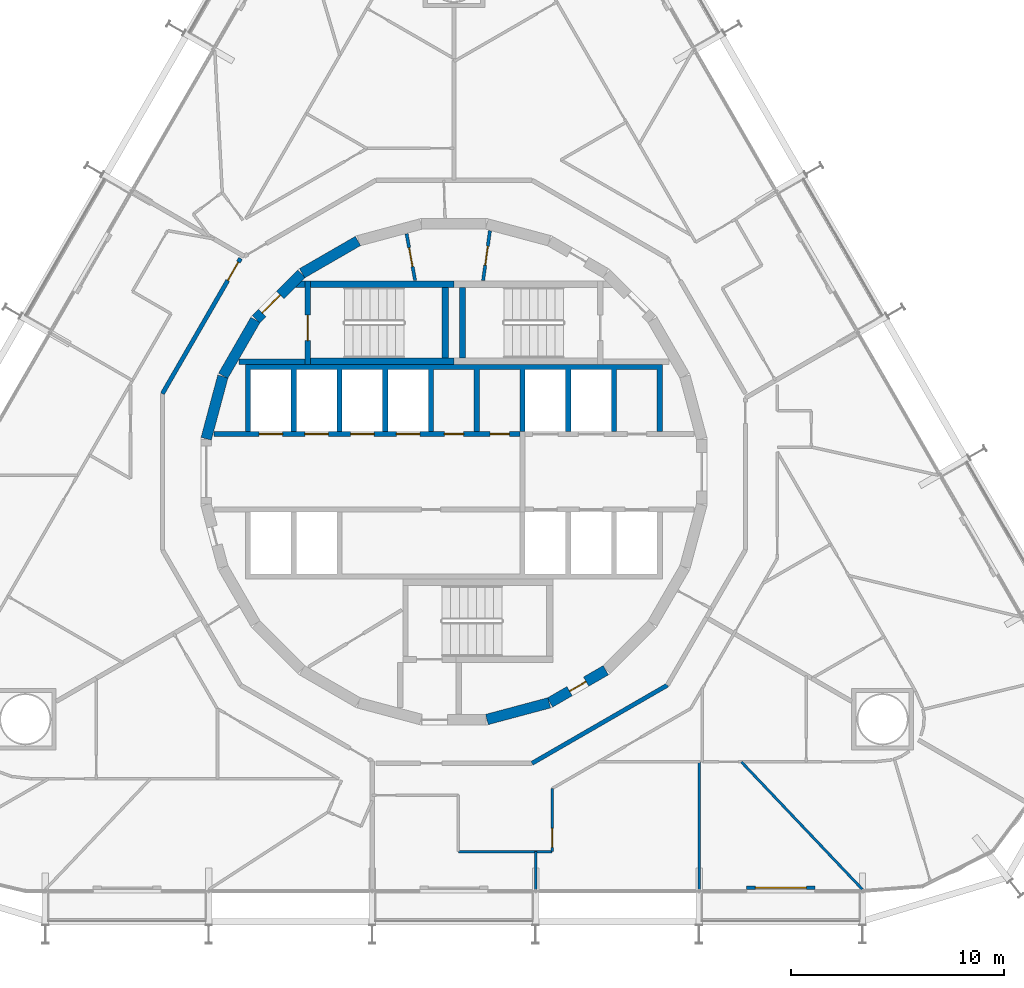
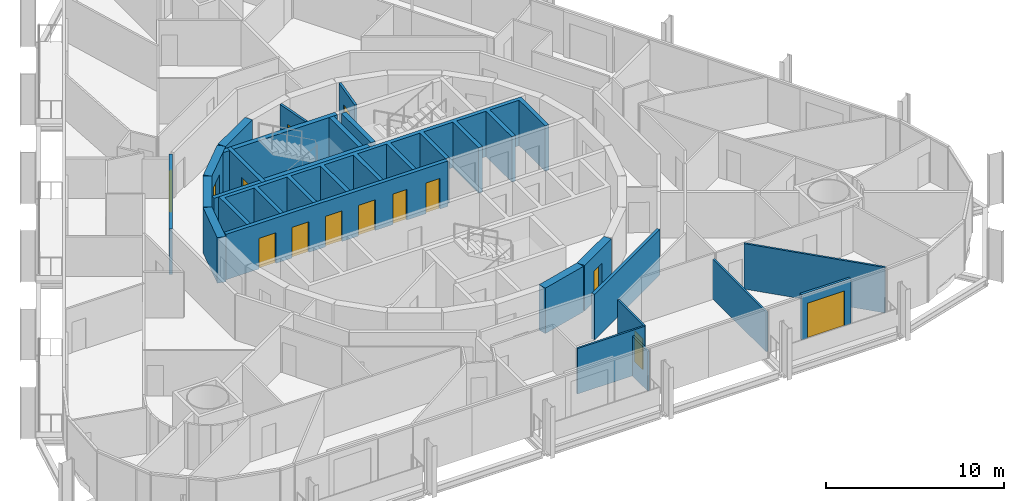
# One storey, part 15 of 21: 25 walls, 14 doors, 14 openings.
"""IFC4 building model written with IfcOpenShell, lengths in metres."""

from ifc_helpers import new_model, si_unit, direction, frame, frame_2d, origin, place, context, subcontext, project, spatial, polyline, rectangle, outline, extrude, material, layer, layer_set, type_object, element, fill, save


model = new_model("IFC4")

# Units and contexts
model_context = context("Model", 3, precision=1e-05, world=origin(), true_north=direction((0.0, 1.0)))
body_context = subcontext(model_context, "Body", "Model", "MODEL_VIEW")
ifc_project = project(units=[si_unit("LENGTHUNIT", "METRE"), si_unit("AREAUNIT", "SQUARE_METRE"), si_unit("VOLUMEUNIT", "CUBIC_METRE"), si_unit("PLANEANGLEUNIT", "RADIAN"), si_unit("MASSUNIT", "GRAM", prefix="KILO")], contexts=[model_context])

# Site, building, storey
site_placement = place(None, origin())
site = spatial("IfcSite", under=ifc_project, at=site_placement, CompositionType="ELEMENT")
building_placement = place(site_placement, origin())
building = spatial("IfcBuilding", under=site, at=building_placement, Name="Spindle Arch Residences", CompositionType="ELEMENT")
storey_placement = place(building_placement, frame((0.0, 0.0, 48.89990234375)))
storey = spatial("IfcBuildingStorey", under=building, at=storey_placement, Name="L10", CompositionType="ELEMENT", Elevation=48.89990234375)

# Wall
ifc_material_1 = material(Name="Concrete C50/60", Category="concrete")
ifc_layer_1 = layer(ifc_material_1, 0.5)
ifc_layer_set_1 = layer_set([ifc_layer_1], Name="Core outline wall 500")
wall_type_1 = type_object("IfcWallType", Name="Core outline wall 500", PredefinedType="SHEAR", material=ifc_layer_set_1)
wall_1_placement = place(storey_placement, frame((1.5498046875, -11.642822265625, 0.0), z_axis=(0.0, 0.0, 1.0), x_axis=(0.965948410781, 0.258734743916, 0.0)))
element("IfcWall", 1, at=wall_1_placement, inside=storey, type_object=wall_type_1, Name="Core outline wall 1", PredefinedType="SHEAR", context=body_context, shape_type="SweptSolid", body=[
    extrude(rectangle(XDim=3.03271484375, YDim=0.5, at=frame_2d((1.516357421875, 0.0))), origin(), (0.0, 0.0, 1.0), 3.1201171875),
])

# Wall, opening, door
wall_2_placement = place(storey_placement, frame((4.510498046875, -10.84521484375, 0.0), z_axis=(0.0, 0.0, 1.0), x_axis=(0.865975092491, 0.500087131594, 0.0)))
wall_2 = element("IfcWall", 2, at=wall_2_placement, inside=storey, type_object=wall_type_1, Name="Core outline wall 2", PredefinedType="SHEAR", context=body_context, shape_type="SweptSolid", body=[
    extrude(rectangle(XDim=3.03271484375, YDim=0.5, at=frame_2d((1.516357421875, 0.0))), origin(), (0.0, 0.0, 1.0), 3.1201171875),
])
opening_1_placement = place(wall_2_placement, frame((1.06640625, 0.0, 0.0)))
opening_1 = element("IfcOpeningElement", 3, at=opening_1_placement, cuts=wall_2, Name="Opening R1B1-WD08", PredefinedType="OPENING", context=body_context, shape_type="SweptSolid", body=[
    extrude(rectangle(XDim=0.89990234375, YDim=2.10009765625, at=frame_2d((0.449951171875, 1.050048828125))), frame((0.0, 0.260009765625, 0.0), z_axis=(0.0, -1.0, 0.0), x_axis=(1.0, 0.0, 0.0)), (0.0, 0.0, 1.0), 0.52001953125),
])
ifc_material_2 = material(Name="Steel, fire-resisting door", Category="steel")
door_type_1 = type_object("IfcDoorType", Name="Service room door 900x2100", OperationType="SINGLE_SWING_LEFT", PredefinedType="DOOR", material=ifc_material_2)
door_1_placement = place(opening_1_placement, origin())
door_1 = element("IfcDoor", 4, at=door_1_placement, inside=storey, type_object=door_type_1, Name="Service room door R1B1-WD08", OperationType="SINGLE_SWING_LEFT", OverallHeight=2.10009765625, OverallWidth=0.89990234375, PredefinedType="DOOR", context=body_context, shape_type="SweptSolid", body=[
    extrude(rectangle(XDim=0.89990234375, YDim=2.10009765625, at=frame_2d((0.449951171875, 1.050048828125))), frame((0.0, 0.02490234375, 0.0), z_axis=(0.0, -1.0, 0.0), x_axis=(1.0, 0.0, 0.0)), (0.0, 0.0, 1.0), 0.050048828125),
])
fill(opening_1, door_1)

# Wall
wall_3_placement = place(storey_placement, frame((-4.510498046875, 10.84521484375, 0.0), z_axis=(0.0, 0.0, 1.0), x_axis=(-0.865975092491, -0.500087131594, 0.0)))
element("IfcWall", 5, at=wall_3_placement, inside=storey, type_object=wall_type_1, Name="Core outline wall 14", PredefinedType="SHEAR", context=body_context, shape_type="SweptSolid", body=[
    extrude(rectangle(XDim=3.03271484375, YDim=0.5, at=frame_2d((1.516357421875, 0.0))), origin(), (0.0, 0.0, 1.0), 3.1201171875),
])

# Wall, opening, door
wall_4_placement = place(storey_placement, frame((-7.163818359375, 9.30810546875, 0.0), z_axis=(0.0, 0.0, 1.0), x_axis=(-0.707106781187, -0.707106781187, 0.0)))
wall_4 = element("IfcWall", 6, at=wall_4_placement, inside=storey, type_object=wall_type_1, Name="Core outline wall 15", PredefinedType="SHEAR", context=body_context, shape_type="SweptSolid", body=[
    extrude(rectangle(XDim=3.032470703125, YDim=0.5, at=frame_2d((1.51611328125, 0.0))), origin(), (0.0, 0.0, 1.0), 3.1201171875),
])
opening_2_placement = place(wall_4_placement, frame((1.416259765625, 0.0, 0.0)))
opening_2 = element("IfcOpeningElement", 7, at=opening_2_placement, cuts=wall_4, Name="Opening R1B1-AD02", PredefinedType="OPENING", context=body_context, shape_type="SweptSolid", body=[
    extrude(rectangle(XDim=1.199951171875, YDim=2.10009765625, at=frame_2d((0.60009765625, 1.050048828125))), frame((0.0, 0.260009765625, 0.0), z_axis=(0.0, -1.0, 0.0), x_axis=(1.0, 0.0, 0.0)), (0.0, 0.0, 1.0), 0.52001953125),
])
ifc_material_3 = material(Name="Steel, fire-resisting door", Category="steel")
door_type_2 = type_object("IfcDoorType", Name="Stair airlock door 1200x2100", OperationType="SINGLE_SWING_LEFT", PredefinedType="DOOR", material=ifc_material_3)
door_2_placement = place(opening_2_placement, origin())
door_2 = element("IfcDoor", 8, at=door_2_placement, inside=storey, type_object=door_type_2, Name="Stair airlock door R1B1-AD02", OperationType="SINGLE_SWING_RIGHT", OverallHeight=2.10009765625, OverallWidth=1.199951171875, PredefinedType="DOOR", context=body_context, shape_type="SweptSolid", body=[
    extrude(rectangle(XDim=1.199951171875, YDim=2.10009765625, at=frame_2d((0.60009765625, 1.050048828125))), frame((0.0, 0.02490234375, 0.0), z_axis=(0.0, -1.0, 0.0), x_axis=(1.0, 0.0, 0.0)), (0.0, 0.0, 1.0), 0.050048828125),
])
fill(opening_2, door_2)

# Walls
for number, where, z_axis, x_axis, name in (
    (9, (-9.32861328125, 7.13671875, 0.0), (0.0, 0.0, 1.0), (-0.500087131594, -0.865975092491, 0.0), "Core outline wall 16"),
    (10, (-10.858154296875, 4.479248046875, 0.0), (0.0, 0.0, 1.0), (-0.258734743916, -0.965948410781, 0.0), "Core outline wall 17"),
):
    element("IfcWall", number, at=place(storey_placement, frame(where, z_axis=z_axis, x_axis=x_axis)), inside=storey, type_object=wall_type_1, Name=name, PredefinedType="SHEAR", context=body_context, shape_type="SweptSolid", body=[
        extrude(rectangle(XDim=3.03271484375, YDim=0.5, at=frame_2d((1.516357421875, 0.0))), origin(), (0.0, 0.0, 1.0), 3.1201171875),
    ])

# Wall, opening, door
ifc_material_4 = material(Name="Calcium silicate block, plastered")
ifc_layer_2 = layer(ifc_material_4, 0.199951171875)
ifc_layer_set_2 = layer_set([ifc_layer_2], Name="Corridor wall 200")
wall_type_2 = type_object("IfcWallType", Name="Corridor wall 200", PredefinedType="STANDARD", material=ifc_layer_set_2)
wall_5_placement = place(storey_placement, frame((-10.029052734375, 10.029052734375, 0.0), z_axis=(0.0, 0.0, 1.0), x_axis=(-0.500001669485, -0.866024439905, 0.0)))
wall_5 = element("IfcWall", 11, at=wall_5_placement, inside=storey, type_object=wall_type_2, Name="Corridor wall R1B1-W010", PredefinedType="STANDARD", context=body_context, shape_type="SweptSolid", body=[
    extrude(rectangle(XDim=7.341796875, YDim=0.199951171875, at=frame_2d((3.6708984375, 0.0))), origin(), (0.0, 0.0, 1.0), 3.1201171875),
])
opening_3_placement = place(wall_5_placement, frame((0.199951171875, 0.0, 0.0)))
opening_3 = element("IfcOpeningElement", 12, at=opening_3_placement, cuts=wall_5, Name="Opening R1B1-FD03", PredefinedType="OPENING", context=body_context, shape_type="SweptSolid", body=[
    extrude(rectangle(XDim=1.0, YDim=2.10009765625, at=frame_2d((0.5, 1.050048828125))), frame((0.0, 0.10986328125, 0.0), z_axis=(0.0, -1.0, 0.0), x_axis=(1.0, 0.0, 0.0)), (0.0, 0.0, 1.0), 0.219970703125),
])
ifc_material_5 = material(Name="Timber, fire-resisting door set", Category="wood")
door_type_3 = type_object("IfcDoorType", Name="Flat entrance door 1000x2100", OperationType="NOTDEFINED", PredefinedType="DOOR", material=ifc_material_5)
door_3_placement = place(opening_3_placement, origin())
door_3 = element("IfcDoor", 13, at=door_3_placement, inside=storey, type_object=door_type_3, Name="Flat entrance door R1B1-FD03", OperationType="SINGLE_SWING_LEFT", OverallHeight=2.10009765625, OverallWidth=1.0, PredefinedType="DOOR", context=body_context, shape_type="SweptSolid", body=[
    extrude(rectangle(XDim=1.0, YDim=2.10009765625, at=frame_2d((0.5, 1.050048828125))), frame((0.0, 0.02490234375, 0.0), z_axis=(0.0, -1.0, 0.0), x_axis=(1.0, 0.0, 0.0)), (0.0, 0.0, 1.0), 0.050048828125),
])
fill(opening_3, door_3)

# Walls
wall_6_placement = place(storey_placement, frame((3.6708984375, -13.699951171875, 0.0), z_axis=(0.0, 0.0, 1.0), x_axis=(0.866024439905, 0.500001669485, 0.0)))
element("IfcWall", 14, at=wall_6_placement, inside=storey, type_object=wall_type_2, Name="Corridor wall R1B1-W015", PredefinedType="STANDARD", context=body_context, shape_type="SweptSolid", body=[
    extrude(rectangle(XDim=7.341796875, YDim=0.199951171875, at=frame_2d((3.6708984375, 0.0))), origin(), (0.0, 0.0, 1.0), 3.1201171875),
])
ifc_material_6 = material(Name="Plasterboard on steel studs", Category="steel")
ifc_layer_3 = layer(ifc_material_6, 0.1201171875)
ifc_layer_set_3 = layer_set([ifc_layer_3], Name="Flat partition 120")
wall_type_3 = type_object("IfcWallType", Name="Flat partition 120", PredefinedType="PARTITIONING", material=ifc_layer_set_3)
wall_7_placement = place(storey_placement, frame((0.21240234375, -17.853271484375, 0.0), z_axis=(0.0, 0.0, 1.0), x_axis=(1.0, 0.0, 0.0)))
element("IfcWall", 15, at=wall_7_placement, inside=storey, type_object=wall_type_3, Name="Flat partition R1B1-W096", PredefinedType="PARTITIONING", context=body_context, shape_type="SweptSolid", body=[
    extrude(rectangle(XDim=4.400146484375, YDim=0.1201171875, at=frame_2d((2.2001953125, 0.0))), origin(), (0.0, 0.0, 1.0), 3.1201171875),
])

# Wall, opening, door
wall_8_placement = place(storey_placement, frame((4.612548828125, -17.853271484375, 0.0), z_axis=(0.0, 0.0, 1.0), x_axis=(0.0, 1.0, 0.0)))
wall_8 = element("IfcWall", 16, at=wall_8_placement, inside=storey, type_object=wall_type_3, Name="Flat partition R1B1-W097", PredefinedType="PARTITIONING", context=body_context, shape_type="SweptSolid", body=[
    extrude(rectangle(XDim=2.96484375, YDim=0.1201171875, at=frame_2d((1.482421875, 0.0))), origin(), (0.0, 0.0, 1.0), 3.1201171875),
])
opening_4_placement = place(wall_8_placement, frame((0.199951171875, 0.0, 0.0)))
opening_4 = element("IfcOpeningElement", 17, at=opening_4_placement, cuts=wall_8, Name="Opening R1B1-ID25", PredefinedType="OPENING", context=body_context, shape_type="SweptSolid", body=[
    extrude(rectangle(XDim=0.89990234375, YDim=2.10009765625, at=frame_2d((0.449951171875, 1.050048828125))), frame((0.0, 0.070068359375, 0.0), z_axis=(0.0, -1.0, 0.0), x_axis=(1.0, 0.0, 0.0)), (0.0, 0.0, 1.0), 0.14013671875),
])
ifc_material_7 = material(Name="Timber door set", Category="wood")
door_type_4 = type_object("IfcDoorType", Name="Room door 900x2100", OperationType="NOTDEFINED", PredefinedType="DOOR", material=ifc_material_7)
door_4_placement = place(opening_4_placement, origin())
door_4 = element("IfcDoor", 18, at=door_4_placement, inside=storey, type_object=door_type_4, Name="Room door R1B1-ID25", OperationType="SINGLE_SWING_RIGHT", OverallHeight=2.10009765625, OverallWidth=0.89990234375, PredefinedType="DOOR", context=body_context, shape_type="SweptSolid", body=[
    extrude(rectangle(XDim=0.89990234375, YDim=2.10009765625, at=frame_2d((0.449951171875, 1.050048828125))), frame((0.0, 0.02490234375, 0.0), z_axis=(0.0, -1.0, 0.0), x_axis=(1.0, 0.0, 0.0)), (0.0, 0.0, 1.0), 0.050048828125),
])
fill(opening_4, door_4)

# Walls
wall_9_placement = place(storey_placement, frame((19.2001953125, -19.6298828125, 0.0), z_axis=(0.0, 0.0, 1.0), x_axis=(-0.688544699396, 0.72519390299, 0.0)))
element("IfcWall", 19, at=wall_9_placement, inside=storey, type_object=wall_type_3, Name="Flat partition R1B1-W104", PredefinedType="PARTITIONING", context=body_context, shape_type="SweptSolid", body=[
    extrude(rectangle(XDim=8.273681640625, YDim=0.1201171875, at=frame_2d((4.13671875, 0.0))), origin(), (0.0, 0.0, 1.0), 3.1201171875),
])
ifc_material_8 = material(Name="Plasterboard on steel studs", Category="steel")
ifc_layer_4 = layer(ifc_material_8, 0.1201171875)
ifc_layer_set_4 = layer_set([ifc_layer_4], Name="Flat partition 120 under beam 2730")
wall_type_4 = type_object("IfcWallType", Name="Flat partition 120 under beam 2730", PredefinedType="PARTITIONING", material=ifc_layer_set_4)
wall_10_placement = place(storey_placement, frame((3.840087890625, -19.6298828125, 0.0), z_axis=(0.0, 0.0, 1.0), x_axis=(0.0, 1.0, 0.0)))
element("IfcWall", 20, at=wall_10_placement, inside=storey, type_object=wall_type_4, Name="Flat partition R1B1-W100", PredefinedType="PARTITIONING", context=body_context, shape_type="SweptSolid", body=[
    extrude(rectangle(XDim=1.776611328125, YDim=0.1201171875, at=frame_2d((0.88818359375, 0.0))), origin(), (0.0, 0.0, 1.0), 2.72998046875),
])
wall_11_placement = place(storey_placement, frame((11.52001953125, -19.6298828125, 0.0), z_axis=(0.0, 0.0, 1.0), x_axis=(0.0, 1.0, 0.0)))
element("IfcWall", 21, at=wall_11_placement, inside=storey, type_object=wall_type_4, Name="Flat partition R1B1-W102", PredefinedType="PARTITIONING", context=body_context, shape_type="SweptSolid", body=[
    extrude(rectangle(XDim=6.0, YDim=0.1201171875, at=frame_2d((3.0, 0.0))), origin(), (0.0, 0.0, 1.0), 2.72998046875),
])

# Wall, opening, door
ifc_material_9 = material(Name="Non-combustible mineral wool insulated aluminium faced external wall (K0)", Category="aluminium")
ifc_layer_5 = layer(ifc_material_9, 0.159912109375)
ifc_layer_set_5 = layer_set([ifc_layer_5], Name="Insulated external wall panel 160")
wall_type_5 = type_object("IfcWallType", Name="Insulated external wall panel 160", PredefinedType="STANDARD", material=ifc_layer_set_5)
wall_12_placement = place(storey_placement, frame((13.76025390625, -19.5498046875, 0.0), z_axis=(0.0, 0.0, 1.0), x_axis=(1.0, 0.0, 0.0)))
wall_12 = element("IfcWall", 22, at=wall_12_placement, inside=storey, type_object=wall_type_5, Name="External wall L10 bay 2", PredefinedType="STANDARD", context=body_context, shape_type="SweptSolid", body=[
    extrude(rectangle(XDim=3.199951171875, YDim=0.159912109375, at=frame_2d((1.60009765625, 0.0))), origin(), (0.0, 0.0, 1.0), 3.1201171875),
])
opening_5_placement = place(wall_12_placement, frame((0.39990234375, 0.0, 0.0)))
opening_5 = element("IfcOpeningElement", 23, at=opening_5_placement, cuts=wall_12, Name="Opening BD02", PredefinedType="OPENING", context=body_context, shape_type="SweptSolid", body=[
    extrude(rectangle(XDim=2.39990234375, YDim=2.39990234375, at=frame_2d((1.199951171875, 1.199951171875))), frame((0.0, 0.08984375, 0.0), z_axis=(0.0, -1.0, 0.0), x_axis=(1.0, 0.0, 0.0)), (0.0, 0.0, 1.0), 0.179931640625),
])
ifc_material_10 = material(Name="Bronze aluminium frame, tinted double glazing", Category="aluminium")
door_type_5 = type_object("IfcDoorType", Name="Sliding glazed balcony door 2400x2400", OperationType="DOUBLE_DOOR_SLIDING", PredefinedType="DOOR", material=ifc_material_10)
door_5_placement = place(opening_5_placement, origin())
door_5 = element("IfcDoor", 24, at=door_5_placement, inside=storey, type_object=door_type_5, Name="Balcony door BD02", OperationType="DOUBLE_DOOR_SLIDING", OverallHeight=2.39990234375, OverallWidth=2.39990234375, PredefinedType="DOOR", context=body_context, shape_type="SweptSolid", body=[
    extrude(rectangle(XDim=2.39990234375, YDim=2.39990234375, at=frame_2d((1.199951171875, 1.199951171875))), frame((0.0, 0.02490234375, 0.0), z_axis=(0.0, -1.0, 0.0), x_axis=(1.0, 0.0, 0.0)), (0.0, 0.0, 1.0), 0.050048828125),
])
fill(opening_5, door_5)

# Wall, openings, doors
ifc_material_11 = material(Name="Concrete C50/60", Category="concrete")
ifc_layer_6 = layer(ifc_material_11, 0.25)
ifc_layer_set_6 = layer_set([ifc_layer_6], Name="Lift shaft wall 250")
wall_type_6 = type_object("IfcWallType", Name="Lift shaft wall 250", PredefinedType="SHEAR", material=ifc_layer_set_6)
wall_13_placement = place(storey_placement, frame((-11.280029296875, 1.77490234375, 0.0), z_axis=(0.0, 0.0, 1.0), x_axis=(1.0, 0.0, 0.0)))
wall_13 = element("IfcWall", 25, at=wall_13_placement, inside=storey, type_object=wall_type_6, Name="Lift shaft front wall NW", PredefinedType="SHEAR", context=body_context, shape_type="SweptSolid", body=[
    extrude(rectangle(XDim=14.380126953125, YDim=0.25, at=frame_2d((7.18994140625, 0.0))), origin(), (0.0, 0.0, 1.0), 3.1201171875),
])
opening_6_placement = place(wall_13_placement, frame((2.1298828125, 0.0, 0.0)))
opening_6 = element("IfcOpeningElement", 26, at=opening_6_placement, cuts=wall_13, Name="Opening R1B1-LD01", PredefinedType="OPENING", context=body_context, shape_type="SweptSolid", body=[
    extrude(rectangle(XDim=1.10009765625, YDim=2.10009765625, at=frame_2d((0.550048828125, 1.050048828125))), frame((0.0, 0.135009765625, 0.0), z_axis=(0.0, -1.0, 0.0), x_axis=(1.0, 0.0, 0.0)), (0.0, 0.0, 1.0), 0.27001953125),
])
opening_7_placement = place(wall_13_placement, frame((4.280029296875, 0.0, 0.0)))
opening_7 = element("IfcOpeningElement", 27, at=opening_7_placement, cuts=wall_13, Name="Opening R1B1-LD02", PredefinedType="OPENING", context=body_context, shape_type="SweptSolid", body=[
    extrude(rectangle(XDim=1.10009765625, YDim=2.10009765625, at=frame_2d((0.550048828125, 1.050048828125))), frame((0.0, 0.135009765625, 0.0), z_axis=(0.0, -1.0, 0.0), x_axis=(1.0, 0.0, 0.0)), (0.0, 0.0, 1.0), 0.27001953125),
])
opening_8_placement = place(wall_13_placement, frame((6.429931640625, 0.0, 0.0)))
opening_8 = element("IfcOpeningElement", 28, at=opening_8_placement, cuts=wall_13, Name="Opening R1B1-LD03", PredefinedType="OPENING", context=body_context, shape_type="SweptSolid", body=[
    extrude(rectangle(XDim=1.10009765625, YDim=2.10009765625, at=frame_2d((0.550048828125, 1.050048828125))), frame((0.0, 0.135009765625, 0.0), z_axis=(0.0, -1.0, 0.0), x_axis=(1.0, 0.0, 0.0)), (0.0, 0.0, 1.0), 0.27001953125),
])
opening_9_placement = place(wall_13_placement, frame((8.580078125, 0.0, 0.0)))
opening_9 = element("IfcOpeningElement", 29, at=opening_9_placement, cuts=wall_13, Name="Opening R1B1-LD04", PredefinedType="OPENING", context=body_context, shape_type="SweptSolid", body=[
    extrude(rectangle(XDim=1.10009765625, YDim=2.10009765625, at=frame_2d((0.550048828125, 1.050048828125))), frame((0.0, 0.135009765625, 0.0), z_axis=(0.0, -1.0, 0.0), x_axis=(1.0, 0.0, 0.0)), (0.0, 0.0, 1.0), 0.27001953125),
])
opening_10_placement = place(wall_13_placement, frame((10.830078125, 0.0, 0.0)))
opening_10 = element("IfcOpeningElement", 30, at=opening_10_placement, cuts=wall_13, Name="Opening R1B1-WD01", PredefinedType="OPENING", context=body_context, shape_type="SweptSolid", body=[
    extrude(rectangle(XDim=0.89990234375, YDim=2.10009765625, at=frame_2d((0.449951171875, 1.050048828125))), frame((0.0, 0.135009765625, 0.0), z_axis=(0.0, -1.0, 0.0), x_axis=(1.0, 0.0, 0.0)), (0.0, 0.0, 1.0), 0.27001953125),
])
opening_11_placement = place(wall_13_placement, frame((12.97998046875, 0.0, 0.0)))
opening_11 = element("IfcOpeningElement", 31, at=opening_11_placement, cuts=wall_13, Name="Opening R1B1-WD02", PredefinedType="OPENING", context=body_context, shape_type="SweptSolid", body=[
    extrude(rectangle(XDim=0.89990234375, YDim=2.10009765625, at=frame_2d((0.449951171875, 1.050048828125))), frame((0.0, 0.135009765625, 0.0), z_axis=(0.0, -1.0, 0.0), x_axis=(1.0, 0.0, 0.0)), (0.0, 0.0, 1.0), 0.27001953125),
])
ifc_material_12 = material(Name="Steel, fire-resisting landing door", Category="steel")
door_type_6 = type_object("IfcDoorType", Name="Lift landing door 1100x2100", OperationType="DOUBLE_DOOR_SLIDING", PredefinedType="DOOR", material=ifc_material_12)
door_6_placement = place(opening_6_placement, origin())
door_6 = element("IfcDoor", 32, at=door_6_placement, inside=storey, type_object=door_type_6, Name="Lift landing door R1B1-LD01", OperationType="DOUBLE_DOOR_SLIDING", OverallHeight=2.10009765625, OverallWidth=1.10009765625, PredefinedType="DOOR", context=body_context, shape_type="SweptSolid", body=[
    extrude(rectangle(XDim=1.10009765625, YDim=2.10009765625, at=frame_2d((0.550048828125, 1.050048828125))), frame((0.0, 0.02490234375, 0.0), z_axis=(0.0, -1.0, 0.0), x_axis=(1.0, 0.0, 0.0)), (0.0, 0.0, 1.0), 0.050048828125),
])
fill(opening_6, door_6)
door_7_placement = place(opening_7_placement, origin())
door_7 = element("IfcDoor", 33, at=door_7_placement, inside=storey, type_object=door_type_6, Name="Lift landing door R1B1-LD02", OperationType="DOUBLE_DOOR_SLIDING", OverallHeight=2.10009765625, OverallWidth=1.10009765625, PredefinedType="DOOR", context=body_context, shape_type="SweptSolid", body=[
    extrude(rectangle(XDim=1.10009765625, YDim=2.10009765625, at=frame_2d((0.550048828125, 1.050048828125))), frame((0.0, 0.02490234375, 0.0), z_axis=(0.0, -1.0, 0.0), x_axis=(1.0, 0.0, 0.0)), (0.0, 0.0, 1.0), 0.050048828125),
])
fill(opening_7, door_7)
door_8_placement = place(opening_8_placement, origin())
door_8 = element("IfcDoor", 34, at=door_8_placement, inside=storey, type_object=door_type_6, Name="Lift landing door R1B1-LD03", OperationType="DOUBLE_DOOR_SLIDING", OverallHeight=2.10009765625, OverallWidth=1.10009765625, PredefinedType="DOOR", context=body_context, shape_type="SweptSolid", body=[
    extrude(rectangle(XDim=1.10009765625, YDim=2.10009765625, at=frame_2d((0.550048828125, 1.050048828125))), frame((0.0, 0.02490234375, 0.0), z_axis=(0.0, -1.0, 0.0), x_axis=(1.0, 0.0, 0.0)), (0.0, 0.0, 1.0), 0.050048828125),
])
fill(opening_8, door_8)
door_9_placement = place(opening_9_placement, origin())
door_9 = element("IfcDoor", 35, at=door_9_placement, inside=storey, type_object=door_type_6, Name="Lift landing door R1B1-LD04", OperationType="DOUBLE_DOOR_SLIDING", OverallHeight=2.10009765625, OverallWidth=1.10009765625, PredefinedType="DOOR", context=body_context, shape_type="SweptSolid", body=[
    extrude(rectangle(XDim=1.10009765625, YDim=2.10009765625, at=frame_2d((0.550048828125, 1.050048828125))), frame((0.0, 0.02490234375, 0.0), z_axis=(0.0, -1.0, 0.0), x_axis=(1.0, 0.0, 0.0)), (0.0, 0.0, 1.0), 0.050048828125),
])
fill(opening_9, door_9)
door_10_placement = place(opening_10_placement, origin())
door_10 = element("IfcDoor", 36, at=door_10_placement, inside=storey, type_object=door_type_1, Name="Service room door R1B1-WD01", OperationType="SINGLE_SWING_RIGHT", OverallHeight=2.10009765625, OverallWidth=0.89990234375, PredefinedType="DOOR", context=body_context, shape_type="SweptSolid", body=[
    extrude(rectangle(XDim=0.89990234375, YDim=2.10009765625, at=frame_2d((0.449951171875, 1.050048828125))), frame((0.0, 0.02490234375, 0.0), z_axis=(0.0, -1.0, 0.0), x_axis=(1.0, 0.0, 0.0)), (0.0, 0.0, 1.0), 0.050048828125),
])
fill(opening_10, door_10)
door_11_placement = place(opening_11_placement, origin())
door_11 = element("IfcDoor", 37, at=door_11_placement, inside=storey, type_object=door_type_1, Name="Service room door R1B1-WD02", OperationType="SINGLE_SWING_LEFT", OverallHeight=2.10009765625, OverallWidth=0.89990234375, PredefinedType="DOOR", context=body_context, shape_type="SweptSolid", body=[
    extrude(rectangle(XDim=0.89990234375, YDim=2.10009765625, at=frame_2d((0.449951171875, 1.050048828125))), frame((0.0, 0.02490234375, 0.0), z_axis=(0.0, -1.0, 0.0), x_axis=(1.0, 0.0, 0.0)), (0.0, 0.0, 1.0), 0.050048828125),
])
fill(opening_11, door_11)

# Wall
ifc_material_13 = material(Name="Concrete C50/60", Category="concrete")
wall_type_7 = type_object("IfcWallType", Name="Lift shaft wall profile", PredefinedType="SHEAR", material=ifc_material_13)
wall_14_placement = place(storey_placement, origin())
element("IfcWall", 38, at=wall_14_placement, inside=storey, type_object=wall_type_7, Name="Lift shaft walls N", PredefinedType="SHEAR", context=body_context, shape_type="SweptSolid", body=[
    extrude(outline(polyline([(-9.550048828125, 4.800048828125), (-7.64990234375, 4.800048828125), (-7.64990234375, 1.89990234375), (-7.39990234375, 1.89990234375), (-7.39990234375, 4.800048828125), (-5.5, 4.800048828125), (-5.5, 1.89990234375), (-5.25, 1.89990234375), (-5.25, 4.800048828125), (-3.35009765625, 4.800048828125), (-3.35009765625, 1.89990234375), (-3.10009765625, 1.89990234375), (-3.10009765625, 4.800048828125), (-1.199951171875, 4.800048828125), (-1.199951171875, 1.89990234375), (-0.949951171875, 1.89990234375), (-0.949951171875, 4.800048828125), (0.949951171875, 4.800048828125), (0.949951171875, 1.89990234375), (1.199951171875, 1.89990234375), (1.199951171875, 4.800048828125), (3.10009765625, 4.800048828125), (3.10009765625, 1.89990234375), (3.35009765625, 1.89990234375), (3.35009765625, 4.800048828125), (5.25, 4.800048828125), (5.25, 1.89990234375), (5.5, 1.89990234375), (5.5, 4.800048828125), (7.39990234375, 4.800048828125), (7.39990234375, 1.89990234375), (7.64990234375, 1.89990234375), (7.64990234375, 4.800048828125), (9.550048828125, 4.800048828125), (9.550048828125, 1.89990234375), (9.800048828125, 1.89990234375), (9.800048828125, 4.800048828125), (9.800048828125, 5.050048828125), (-9.800048828125, 5.050048828125), (-9.800048828125, 4.800048828125), (-9.800048828125, 1.89990234375), (-9.550048828125, 1.89990234375), (-9.550048828125, 4.800048828125)])), origin(), (0.0, 0.0, 1.0), 3.1201171875),
])

# Wall, opening, door
ifc_material_14 = material(Name="Concrete C25/30", Category="concrete")
ifc_layer_7 = layer(ifc_material_14, 0.14990234375)
ifc_layer_set_7 = layer_set([ifc_layer_7], Name="Service room partition 150")
wall_type_8 = type_object("IfcWallType", Name="Service room partition 150", PredefinedType="PARTITIONING", material=ifc_layer_set_7)
wall_15_placement = place(storey_placement, frame((1.69091796875, 11.32568359375, 0.0), z_axis=(0.0, 0.0, 1.0), x_axis=(-0.135344253201, -0.990798633994, 0.0)))
wall_15 = element("IfcWall", 39, at=wall_15_placement, inside=storey, type_object=wall_type_8, Name="Core service room partition", PredefinedType="PARTITIONING", context=body_context, shape_type="SweptSolid", body=[
    extrude(rectangle(XDim=2.357666015625, YDim=0.14990234375, at=frame_2d((1.1787109375, 0.0))), origin(), (0.0, 0.0, 1.0), 3.1201171875),
])
opening_12_placement = place(wall_15_placement, frame((0.728759765625, 0.0, 0.0)))
opening_12 = element("IfcOpeningElement", 40, at=opening_12_placement, cuts=wall_15, Name="Opening R1B1-WD06", PredefinedType="OPENING", context=body_context, shape_type="SweptSolid", body=[
    extrude(rectangle(XDim=0.89990234375, YDim=2.10009765625, at=frame_2d((0.449951171875, 1.050048828125))), frame((0.0, 0.0849609375, 0.0), z_axis=(0.0, -1.0, 0.0), x_axis=(1.0, 0.0, 0.0)), (0.0, 0.0, 1.0), 0.169921875),
])
door_12_placement = place(opening_12_placement, origin())
door_12 = element("IfcDoor", 41, at=door_12_placement, inside=storey, type_object=door_type_1, Name="Service room door R1B1-WD06", OperationType="SINGLE_SWING_LEFT", OverallHeight=2.10009765625, OverallWidth=0.89990234375, PredefinedType="DOOR", context=body_context, shape_type="SweptSolid", body=[
    extrude(rectangle(XDim=0.89990234375, YDim=2.10009765625, at=frame_2d((0.449951171875, 1.050048828125))), frame((0.0, 0.02490234375, 0.0), z_axis=(0.0, -1.0, 0.0), x_axis=(1.0, 0.0, 0.0)), (0.0, 0.0, 1.0), 0.050048828125),
])
fill(opening_12, door_12)

wall_16_placement = place(storey_placement, frame((-1.824951171875, 8.98974609375, 0.0), z_axis=(0.0, 0.0, 1.0), x_axis=(-0.179955206115, 0.983674805915, 0.0)))
wall_16 = element("IfcWall", 42, at=wall_16_placement, inside=storey, type_object=wall_type_8, Name="Core service room partition", PredefinedType="PARTITIONING", context=body_context, shape_type="SweptSolid", body=[
    extrude(rectangle(XDim=2.22900390625, YDim=0.14990234375, at=frame_2d((1.114501953125, 0.0))), origin(), (0.0, 0.0, 1.0), 3.1201171875),
])
opening_13_placement = place(wall_16_placement, frame((0.66455078125, 0.0, 0.0)))
opening_13 = element("IfcOpeningElement", 43, at=opening_13_placement, cuts=wall_16, Name="Opening R1B1-WD07", PredefinedType="OPENING", context=body_context, shape_type="SweptSolid", body=[
    extrude(rectangle(XDim=0.89990234375, YDim=2.10009765625, at=frame_2d((0.449951171875, 1.050048828125))), frame((0.0, 0.0849609375, 0.0), z_axis=(0.0, -1.0, 0.0), x_axis=(1.0, 0.0, 0.0)), (0.0, 0.0, 1.0), 0.169921875),
])
door_13_placement = place(opening_13_placement, origin())
door_13 = element("IfcDoor", 44, at=door_13_placement, inside=storey, type_object=door_type_1, Name="Service room door R1B1-WD07", OperationType="SINGLE_SWING_RIGHT", OverallHeight=2.10009765625, OverallWidth=0.89990234375, PredefinedType="DOOR", context=body_context, shape_type="SweptSolid", body=[
    extrude(rectangle(XDim=0.89990234375, YDim=2.10009765625, at=frame_2d((0.449951171875, 1.050048828125))), frame((0.0, 0.02490234375, 0.0), z_axis=(0.0, -1.0, 0.0), x_axis=(1.0, 0.0, 0.0)), (0.0, 0.0, 1.0), 0.050048828125),
])
fill(opening_13, door_13)

# Walls
ifc_material_15 = material(Name="Concrete C40/50", Category="concrete")
ifc_layer_8 = layer(ifc_material_15, 0.25)
ifc_layer_set_8 = layer_set([ifc_layer_8], Name="Stair airlock wall 250")
wall_type_9 = type_object("IfcWallType", Name="Stair airlock wall 250", PredefinedType="SHEAR", material=ifc_layer_set_8)
wall_17_placement = place(storey_placement, frame((-7.0, 5.175048828125, 0.0), z_axis=(0.0, 0.0, 1.0), x_axis=(-1.0, 0.0, 0.0)))
element("IfcWall", 45, at=wall_17_placement, inside=storey, type_object=wall_type_9, Name="Stair ST-2 airlock wall S", PredefinedType="SHEAR", context=body_context, shape_type="SweptSolid", body=[
    extrude(rectangle(XDim=3.10009765625, YDim=0.25, at=frame_2d((1.550048828125, 0.0))), origin(), (0.0, 0.0, 1.0), 3.1201171875),
])
ifc_material_16 = material(Name="Concrete C40/50", Category="concrete")
wall_type_10 = type_object("IfcWallType", Name="Stair airlock wall profile", PredefinedType="SHEAR", material=ifc_material_16)
wall_18_placement = place(storey_placement, origin())
element("IfcWall", 46, at=wall_18_placement, inside=storey, type_object=wall_type_10, Name="Stair ST-2 airlock wall N", PredefinedType="SHEAR", context=body_context, shape_type="SweptSolid", body=[
    extrude(outline(polyline([(-7.148193359375, 8.969970703125), (-7.0, 8.969970703125), (-7.0, 8.669921875), (-7.4482421875, 8.669921875), (-7.148193359375, 8.969970703125)])), origin(), (0.0, 0.0, 1.0), 3.1201171875),
])

# Wall, opening, door
ifc_material_17 = material(Name="Concrete C50/60", Category="concrete")
ifc_layer_9 = layer(ifc_material_17, 0.25)
ifc_layer_set_9 = layer_set([ifc_layer_9], Name="Stair enclosure wall 250")
wall_type_11 = type_object("IfcWallType", Name="Stair enclosure wall 250", PredefinedType="SHEAR", material=ifc_layer_set_9)
wall_19_placement = place(storey_placement, frame((-6.875, 8.969970703125, 0.0), z_axis=(0.0, 0.0, 1.0), x_axis=(0.0, -1.0, 0.0)))
wall_19 = element("IfcWall", 47, at=wall_19_placement, inside=storey, type_object=wall_type_11, Name="Stair ST-2 door wall", PredefinedType="SHEAR", context=body_context, shape_type="SweptSolid", body=[
    extrude(rectangle(XDim=3.919921875, YDim=0.25, at=frame_2d((1.9599609375, 0.0))), origin(), (0.0, 0.0, 1.0), 3.1201171875),
])
opening_14_placement = place(wall_19_placement, frame((1.610107421875, 0.0, 0.0)))
opening_14 = element("IfcOpeningElement", 48, at=opening_14_placement, cuts=wall_19, Name="Opening R1B1-SD02", PredefinedType="OPENING", context=body_context, shape_type="SweptSolid", body=[
    extrude(rectangle(XDim=1.199951171875, YDim=2.10009765625, at=frame_2d((0.60009765625, 1.050048828125))), frame((0.0, 0.135009765625, 0.0), z_axis=(0.0, -1.0, 0.0), x_axis=(1.0, 0.0, 0.0)), (0.0, 0.0, 1.0), 0.27001953125),
])
ifc_material_18 = material(Name="Steel, fire-resisting door", Category="steel")
door_type_7 = type_object("IfcDoorType", Name="Stair door 1200x2100", OperationType="SINGLE_SWING_RIGHT", PredefinedType="DOOR", material=ifc_material_18)
door_14_placement = place(opening_14_placement, origin())
door_14 = element("IfcDoor", 49, at=door_14_placement, inside=storey, type_object=door_type_7, Name="Stair door R1B1-SD02", OperationType="SINGLE_SWING_LEFT", OverallHeight=2.10009765625, OverallWidth=1.199951171875, PredefinedType="DOOR", context=body_context, shape_type="SweptSolid", body=[
    extrude(rectangle(XDim=1.199951171875, YDim=2.10009765625, at=frame_2d((0.60009765625, 1.050048828125))), frame((0.0, 0.02490234375, 0.0), z_axis=(0.0, -1.0, 0.0), x_axis=(1.0, 0.0, 0.0)), (0.0, 0.0, 1.0), 0.050048828125),
])
fill(opening_14, door_14)

# Walls
ifc_material_19 = material(Name="Concrete C50/60", Category="concrete")
ifc_layer_10 = layer(ifc_material_19, 0.300048828125)
ifc_layer_set_10 = layer_set([ifc_layer_10], Name="Stair enclosure wall 300")
wall_type_12 = type_object("IfcWallType", Name="Stair enclosure wall 300", PredefinedType="SHEAR", material=ifc_layer_set_10)
wall_20_placement = place(storey_placement, frame((0.39990234375, 5.35009765625, 0.0), z_axis=(0.0, 0.0, 1.0), x_axis=(0.0, 1.0, 0.0)))
element("IfcWall", 50, at=wall_20_placement, inside=storey, type_object=wall_type_12, Name="Stair ST-1 enclosure wall F", PredefinedType="SHEAR", context=body_context, shape_type="SweptSolid", body=[
    extrude(rectangle(XDim=3.31982421875, YDim=0.300048828125, at=frame_2d((1.659912109375, 0.0))), origin(), (0.0, 0.0, 1.0), 3.1201171875),
])
for number, where, z_axis, x_axis, name in (
    (51, (-6.75, 5.199951171875, 0.0), (0.0, 0.0, 1.0), (1.0, 0.0, 0.0), "Stair ST-2 enclosure wall S"),
    (52, (-6.75, 8.820068359375, 0.0), (0.0, 0.0, 1.0), (1.0, 0.0, 0.0), "Stair ST-2 enclosure wall N"),
):
    element("IfcWall", number, at=place(storey_placement, frame(where, z_axis=z_axis, x_axis=x_axis)), inside=storey, type_object=wall_type_12, Name=name, PredefinedType="SHEAR", context=body_context, shape_type="SweptSolid", body=[
        extrude(rectangle(XDim=6.75, YDim=0.300048828125, at=frame_2d((3.375, 0.0))), origin(), (0.0, 0.0, 1.0), 3.1201171875),
    ])
wall_21_placement = place(storey_placement, frame((-0.39990234375, 5.35009765625, 0.0), z_axis=(0.0, 0.0, 1.0), x_axis=(0.0, 1.0, 0.0)))
element("IfcWall", 53, at=wall_21_placement, inside=storey, type_object=wall_type_12, Name="Stair ST-2 enclosure wall F", PredefinedType="SHEAR", context=body_context, shape_type="SweptSolid", body=[
    extrude(rectangle(XDim=3.31982421875, YDim=0.300048828125, at=frame_2d((1.659912109375, 0.0))), origin(), (0.0, 0.0, 1.0), 3.1201171875),
])

save(model, "model.ifc")
